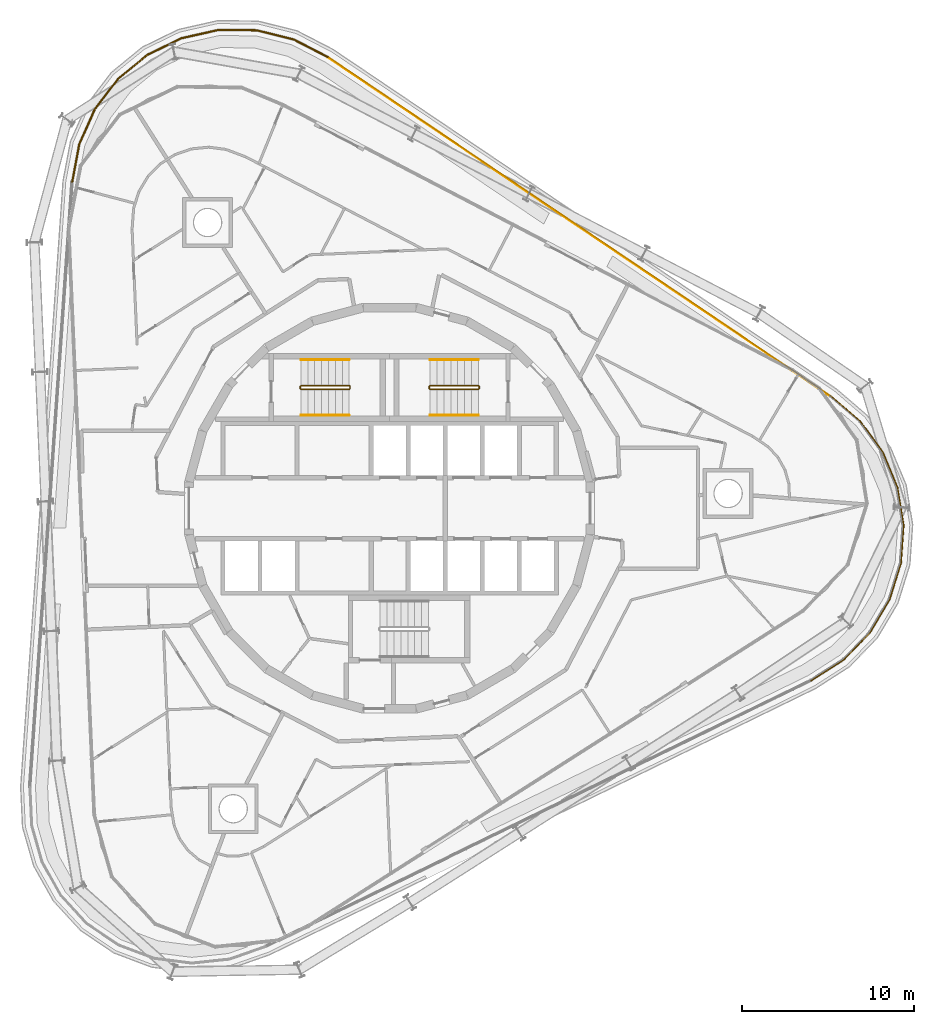
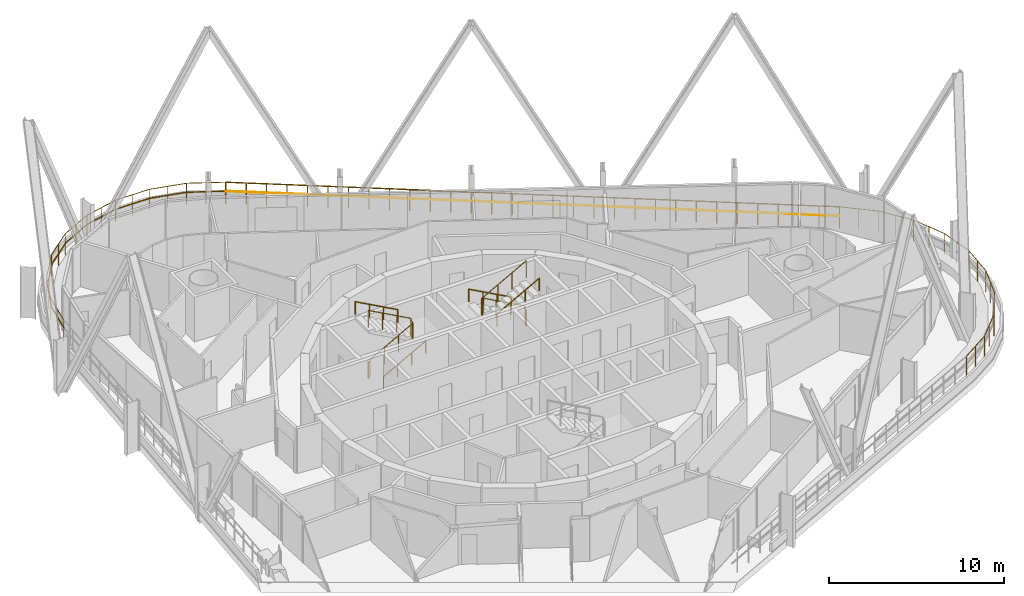
# One storey, part 19 of 20: 11 railings.
"""IFC4 building model written with IfcOpenShell, lengths in metres."""

import ifcopenshell
import ifcopenshell.guid

model = None  # the IFC model being written
_history = None  # IfcOwnerHistory: only IFC2X3 demands one
_inside = {}  # id of a spatial element -> (the spatial element, [elements in it])
_under = {}  # id of a project, library or spatial element -> (it, [spatial elements below it])
_declared = {}  # id of a project -> (the project, [libraries it declares])
_typed = {}  # id of a type object -> (the type object, [elements of that type])
_made_of = {}  # id of a material, layer set ... -> (it, [elements and type objects made of it])


def new_model(schema):
    """Start an empty IFC model of exactly this schema.

    Asked for "IFC4X3", IfcOpenShell would pick the latest addendum, in which some entities
    have other attributes; the version numbers below select the first issue.
    IFC2X3 requires an IfcOwnerHistory on every rooted entity: one is made here for all.
    """
    global model, _history
    if schema == "IFC4X3":
        model = ifcopenshell.file(schema_version=(4, 3, 0, 0))
    else:
        model = ifcopenshell.file(schema=schema)
    _inside.clear()
    _under.clear()
    _declared.clear()
    _typed.clear()
    _made_of.clear()
    _history = None
    if model.schema == "IFC2X3":
        org = make("IfcOrganization", Name="unknown")
        user = make(
            "IfcPersonAndOrganization",
            ThePerson=make("IfcPerson", FamilyName="unknown"),
            TheOrganization=org,
        )
        app = make(
            "IfcApplication",
            ApplicationDeveloper=org,
            Version="unknown",
            ApplicationFullName="unknown",
            ApplicationIdentifier="unknown",
        )
        _history = make(
            "IfcOwnerHistory",
            OwningUser=user,
            OwningApplication=app,
            ChangeAction="ADDED",
            CreationDate=0,
        )
    return model


def make(cls, **values):
    """One entity of the class cls with the attributes given. An attribute that is None is left unset."""
    return model.create_entity(
        cls, **{name: value for name, value in values.items() if value is not None}
    )


def rooted(cls, **values):
    """An entity with a GlobalId (a new one), such as an element, a storey or a relation."""
    return make(cls, GlobalId=ifcopenshell.guid.new(), OwnerHistory=_history, **values)


def si_unit(unit_type, name, prefix=None):
    """IfcSIUnit, for example si_unit("LENGTHUNIT", "METRE", prefix="MILLI")."""
    return make("IfcSIUnit", UnitType=unit_type, Prefix=prefix, Name=name)


def assignment(units):
    """IfcUnitAssignment: the units of a project."""
    return None if units is None else make("IfcUnitAssignment", Units=units)


def point(xyz):
    """IfcCartesianPoint."""
    return None if xyz is None else make("IfcCartesianPoint", Coordinates=xyz)


def direction(xyz):
    """IfcDirection."""
    return None if xyz is None else make("IfcDirection", DirectionRatios=xyz)


def frame(location, z_axis=None, x_axis=None):
    """IfcAxis2Placement3D, a coordinate frame: its origin and axes. An axis left out is left unset."""
    return make(
        "IfcAxis2Placement3D",
        Location=point(location),
        Axis=direction(z_axis),
        RefDirection=direction(x_axis),
    )


def frame_2d(location, x_axis=None):
    """IfcAxis2Placement2D, a coordinate frame in the plane: its origin and x axis."""
    return make(
        "IfcAxis2Placement2D", Location=point(location), RefDirection=direction(x_axis)
    )


def origin():
    """The frame at (0, 0, 0) with its axes left unset."""
    return frame((0.0, 0.0, 0.0))


def origin_2d():
    """The frame at (0, 0) in the plane with its x axis left unset."""
    return frame_2d((0.0, 0.0))


def place(relative_to, where):
    """IfcLocalPlacement: puts the frame where relative to a parent placement (None: the world)."""
    return make(
        "IfcLocalPlacement", PlacementRelTo=relative_to, RelativePlacement=where
    )


def context(
    kind, dimensions, precision=None, world=None, true_north=None, identifier=None
):
    """IfcGeometricRepresentationContext, for example the 3D "Model" context."""
    return make(
        "IfcGeometricRepresentationContext",
        ContextIdentifier=identifier,
        ContextType=kind,
        CoordinateSpaceDimension=dimensions,
        Precision=precision,
        WorldCoordinateSystem=world,
        TrueNorth=true_north,
    )


def subcontext(parent, identifier, kind, view, scale=None):
    """IfcGeometricRepresentationSubContext, for example "Body" below "Model"."""
    return make(
        "IfcGeometricRepresentationSubContext",
        ContextIdentifier=identifier,
        ContextType=kind,
        ParentContext=parent,
        TargetScale=scale,
        TargetView=view,
    )


def project(units=None, contexts=None):
    """IfcProject with its units and contexts."""
    return rooted(
        "IfcProject",
        Name="project",
        RepresentationContexts=contexts,
        UnitsInContext=assignment(units),
    )


def spatial(cls, under=None, at=None, **own):
    """A site, building, storey or space (cls), placed at a placement, below another one or the project."""
    s = rooted(cls, ObjectPlacement=at, **own)
    if under is not None:
        _under.setdefault(under.id(), (under, []))[1].append(s)
    return s


def profile(cls, at=None, kind="AREA", **sizes):
    """A parametric profile (cls). Its sizes go by their IFC names, for example OverallWidth=200.0."""
    return make(cls, ProfileType=kind, Position=at, **sizes)


def circle(**sizes):
    """IfcCircleProfileDef."""
    return profile("IfcCircleProfileDef", **sizes)


def extrude(swept, where, along, depth):
    """IfcExtrudedAreaSolid: the profile swept, set in the frame where, extruded along a direction by depth."""
    return make(
        "IfcExtrudedAreaSolid",
        SweptArea=swept,
        Position=where,
        ExtrudedDirection=direction(along),
        Depth=depth,
    )


def shape(context_of_items, identifier, shape_type, items):
    """IfcShapeRepresentation: the items that make up one representation, for example the "Body"."""
    return make(
        "IfcShapeRepresentation",
        ContextOfItems=context_of_items,
        RepresentationIdentifier=identifier,
        RepresentationType=shape_type,
        Items=items,
    )


def material(Name=None, Category=None):
    """IfcMaterial."""
    return make("IfcMaterial", Name=Name, Category=Category)


def made_of(thing, what):
    """Note that an element or type object is made of a material, layer set ...; save() writes the relation."""
    if what is not None:
        _made_of.setdefault(what.id(), (what, []))[1].append(thing)
    return thing


def type_object(cls, material=None, **own):
    """A type object (cls), such as IfcWallType, which elements share."""
    return made_of(rooted(cls, **own), material)


def element(
    cls,
    number,
    at=None,
    inside=None,
    cuts=None,
    type_object=None,
    material=None,
    context=None,
    identifier="Body",
    shape_type=None,
    held_by="IfcProductDefinitionShape",
    body=None,
    shapes=None,
    **own,
):
    """One element of the class cls, such as IfcWall. Its Tag is "e" and its number.

    at: its placement. inside: the storey or other place that contains it. cuts: it is an
    opening in that element (IfcRelVoidsElement). A single representation is given by context,
    identifier, shape_type and body (its items); several are given by shapes. held_by: the class
    of the entity that holds the representations. save() writes the other relations.
    """
    e = rooted(cls, Tag="e%d" % number, ObjectPlacement=at, **own)
    if body is not None:
        shapes = [shape(context, identifier, shape_type, body)]
    if shapes is not None:
        e.Representation = make(held_by, Representations=shapes)
    if inside is not None:
        _inside.setdefault(inside.id(), (inside, []))[1].append(e)
    if cuts is not None:
        rooted(
            "IfcRelVoidsElement", RelatingBuildingElement=cuts, RelatedOpeningElement=e
        )
    if type_object is not None:
        _typed.setdefault(type_object.id(), (type_object, []))[1].append(e)
    return made_of(e, material)


def aggregate(whole, parts):
    """IfcRelAggregates: a whole, such as a stair, and the parts it consists of."""
    return rooted("IfcRelAggregates", RelatingObject=whole, RelatedObjects=parts)


def save(model, path):
    """Write the relations noted so far, then the file.

    IfcRelAggregates (storeys below a building ...), IfcRelContainedInSpatialStructure (elements
    in a storey), IfcRelDefinesByType, IfcRelAssociatesMaterial and IfcRelDeclares: one each for
    every whole, place, type object, material and project.
    """
    for whole, parts in _under.values():
        aggregate(whole, parts)
    for where, things in _inside.values():
        rooted(
            "IfcRelContainedInSpatialStructure",
            RelatedElements=things,
            RelatingStructure=where,
        )
    for kind, things in _typed.values():
        rooted("IfcRelDefinesByType", RelatedObjects=things, RelatingType=kind)
    for what, things in _made_of.values():
        rooted("IfcRelAssociatesMaterial", RelatedObjects=things, RelatingMaterial=what)
    for by, libraries in _declared.values():
        rooted("IfcRelDeclares", RelatingContext=by, RelatedDefinitions=libraries)
    model.write(path)


model = new_model("IFC4")

# Units and contexts
model_context = context("Model", 3, precision=1e-05, world=origin(), true_north=direction((0.0, 1.0)))
body_context = subcontext(model_context, "Body", "Model", "MODEL_VIEW")
ifc_project = project(units=[si_unit("LENGTHUNIT", "METRE"), si_unit("AREAUNIT", "SQUARE_METRE"), si_unit("VOLUMEUNIT", "CUBIC_METRE"), si_unit("PLANEANGLEUNIT", "RADIAN"), si_unit("MASSUNIT", "GRAM", prefix="KILO")], contexts=[model_context])

# Site, building, storey
site_placement = place(None, origin())
site = spatial("IfcSite", under=ifc_project, at=site_placement, CompositionType="ELEMENT")
building_placement = place(site_placement, origin())
building = spatial("IfcBuilding", under=site, at=building_placement, Name="Spindle Arch Residences", CompositionType="ELEMENT")
storey_placement = place(building_placement, frame((0.0, 0.0, 226.699951171875)))
storey = spatial("IfcBuildingStorey", under=building, at=storey_placement, Name="L57", CompositionType="ELEMENT", Elevation=226.699951171875)

# Railings
ifc_material_1 = material(Name="Steel, painted", Category="steel")
railing_type_1 = type_object("IfcRailingType", Name="Stair guard 1100", PredefinedType="GUARDRAIL", material=ifc_material_1)
railing_1_placement = place(storey_placement, frame((5.14990234375, 6.89990234375, 3.5)))
element("IfcRailing", 1, at=railing_1_placement, inside=storey, type_object=railing_type_1, Name="L57 ST1 stair guard 1", PredefinedType="GUARDRAIL", context=body_context, shape_type="SweptSolid", body=[
    extrude(circle(Radius=0.02392578125, at=origin_2d()), frame((0.0, 0.0, 1.17578125), z_axis=(-0.877357048833, 0.0, -0.479838106931), x_axis=(0.0, -1.0, 0.0)), (0.0, 0.0, 1.0), 3.191162109375),
    extrude(circle(Radius=0.02392578125, at=origin_2d()), frame((-2.7998046875, 0.0, -0.35546875), z_axis=(-0.217683172539, 0.217683172539, -0.951434744366), x_axis=(-0.707106781187, -0.707106781187, 0.0)), (0.0, 0.0, 1.0), 0.22998046875),
    extrude(circle(Radius=0.02392578125, at=origin_2d()), frame((-2.849853515625, 0.050048828125, -0.57421875), z_axis=(0.0, 1.0, 0.0), x_axis=(-1.0, 0.0, 0.0)), (0.0, 0.0, 1.0), 0.1201171875),
    extrude(circle(Radius=0.02392578125, at=origin_2d()), frame((-2.849853515625, 0.170166015625, -0.57421875), z_axis=(0.707106781187, 0.707106781187, 0.0), x_axis=(-0.707106781187, 0.707106781187, 0.0)), (0.0, 0.0, 1.0), 0.07080078125),
    extrude(circle(Radius=0.02392578125, at=origin_2d()), frame((-2.7998046875, 0.22021484375, -0.57421875), z_axis=(0.877357048833, 0.0, -0.479838106931), x_axis=(0.0, 1.0, 0.0)), (0.0, 0.0, 1.0), 3.191162109375),
    extrude(circle(Radius=0.02392578125, at=origin_2d()), frame((0.0, 0.22021484375, -2.10546875), z_axis=(0.217683172539, -0.217683172539, -0.951434744366), x_axis=(0.707106781187, 0.707106781187, 0.0)), (0.0, 0.0, 1.0), 0.22998046875),
    extrude(circle(Radius=0.02392578125, at=origin_2d()), frame((0.050048828125, 0.170166015625, -2.32421875), z_axis=(0.0, -1.0, 0.0), x_axis=(1.0, 0.0, 0.0)), (0.0, 0.0, 1.0), 0.1201171875),
    extrude(circle(Radius=0.02099609375, at=origin_2d()), origin(), (0.0, 0.0, 1.0), 1.15185546875),
    extrude(circle(Radius=0.02099609375, at=origin_2d()), frame((-0.933349609375, 0.0, -0.510498046875)), (0.0, 0.0, 1.0), 1.15185546875),
    extrude(circle(Radius=0.02099609375, at=origin_2d()), frame((-1.866455078125, 0.0, -1.020751953125)), (0.0, 0.0, 1.0), 1.15185546875),
    extrude(circle(Radius=0.02099609375, at=origin_2d()), frame((-2.7998046875, 0.0, -1.53125)), (0.0, 0.0, 1.0), 1.15185546875),
    extrude(circle(Radius=0.02099609375, at=origin_2d()), frame((-2.849853515625, 0.050048828125, -1.75)), (0.0, 0.0, 1.0), 1.15185546875),
    extrude(circle(Radius=0.02099609375, at=origin_2d()), frame((-2.849853515625, 0.170166015625, -1.75)), (0.0, 0.0, 1.0), 1.15185546875),
    extrude(circle(Radius=0.02099609375, at=origin_2d()), frame((-2.7998046875, 0.22021484375, -1.75)), (0.0, 0.0, 1.0), 1.15185546875),
    extrude(circle(Radius=0.02099609375, at=origin_2d()), frame((-1.866455078125, 0.22021484375, -2.260498046875)), (0.0, 0.0, 1.0), 1.15185546875),
    extrude(circle(Radius=0.02099609375, at=origin_2d()), frame((-0.933349609375, 0.22021484375, -2.770751953125)), (0.0, 0.0, 1.0), 1.15185546875),
    extrude(circle(Radius=0.02099609375, at=origin_2d()), frame((0.0, 0.22021484375, -3.28125)), (0.0, 0.0, 1.0), 1.15185546875),
    extrude(circle(Radius=0.02099609375, at=origin_2d()), frame((0.050048828125, 0.170166015625, -3.5)), (0.0, 0.0, 1.0), 1.15185546875),
    extrude(circle(Radius=0.02099609375, at=origin_2d()), frame((0.050048828125, 0.050048828125, -3.5)), (0.0, 0.0, 1.0), 1.15185546875),
])
railing_2_placement = place(storey_placement, frame((-5.14990234375, 7.1201171875, 3.5)))
element("IfcRailing", 2, at=railing_2_placement, inside=storey, type_object=railing_type_1, Name="L57 ST2 stair guard 1", PredefinedType="GUARDRAIL", context=body_context, shape_type="SweptSolid", body=[
    extrude(circle(Radius=0.02392578125, at=origin_2d()), frame((0.0, 0.0, 1.17578125), z_axis=(0.877357048833, 0.0, -0.479838106931), x_axis=(0.0, 1.0, 0.0)), (0.0, 0.0, 1.0), 3.191162109375),
    extrude(circle(Radius=0.02392578125, at=origin_2d()), frame((2.7998046875, 0.0, -0.35546875), z_axis=(0.217683172539, -0.217683172539, -0.951434744366), x_axis=(0.707106781187, 0.707106781187, 0.0)), (0.0, 0.0, 1.0), 0.22998046875),
    extrude(circle(Radius=0.02392578125, at=origin_2d()), frame((2.849853515625, -0.050048828125, -0.57421875), z_axis=(0.0, -1.0, 0.0), x_axis=(1.0, 0.0, 0.0)), (0.0, 0.0, 1.0), 0.1201171875),
    extrude(circle(Radius=0.02392578125, at=origin_2d()), frame((2.849853515625, -0.170166015625, -0.57421875), z_axis=(-0.707106781187, -0.707106781187, 0.0), x_axis=(0.707106781187, -0.707106781187, 0.0)), (0.0, 0.0, 1.0), 0.07080078125),
    extrude(circle(Radius=0.02392578125, at=origin_2d()), frame((2.7998046875, -0.22021484375, -0.57421875), z_axis=(-0.877357048833, 0.0, -0.479838106931), x_axis=(0.0, -1.0, 0.0)), (0.0, 0.0, 1.0), 3.191162109375),
    extrude(circle(Radius=0.02392578125, at=origin_2d()), frame((0.0, -0.22021484375, -2.10546875), z_axis=(-0.217683172539, 0.217683172539, -0.951434744366), x_axis=(-0.707106781187, -0.707106781187, 0.0)), (0.0, 0.0, 1.0), 0.22998046875),
    extrude(circle(Radius=0.02392578125, at=origin_2d()), frame((-0.050048828125, -0.170166015625, -2.32421875), z_axis=(0.0, 1.0, 0.0), x_axis=(-1.0, 0.0, 0.0)), (0.0, 0.0, 1.0), 0.1201171875),
    extrude(circle(Radius=0.02099609375, at=origin_2d()), origin(), (0.0, 0.0, 1.0), 1.15185546875),
    extrude(circle(Radius=0.02099609375, at=origin_2d()), frame((0.933349609375, 0.0, -0.510498046875)), (0.0, 0.0, 1.0), 1.15185546875),
    extrude(circle(Radius=0.02099609375, at=origin_2d()), frame((1.866455078125, 0.0, -1.020751953125)), (0.0, 0.0, 1.0), 1.15185546875),
    extrude(circle(Radius=0.02099609375, at=origin_2d()), frame((2.7998046875, 0.0, -1.53125)), (0.0, 0.0, 1.0), 1.15185546875),
    extrude(circle(Radius=0.02099609375, at=origin_2d()), frame((2.849853515625, -0.050048828125, -1.75)), (0.0, 0.0, 1.0), 1.15185546875),
    extrude(circle(Radius=0.02099609375, at=origin_2d()), frame((2.849853515625, -0.170166015625, -1.75)), (0.0, 0.0, 1.0), 1.15185546875),
    extrude(circle(Radius=0.02099609375, at=origin_2d()), frame((2.7998046875, -0.22021484375, -1.75)), (0.0, 0.0, 1.0), 1.15185546875),
    extrude(circle(Radius=0.02099609375, at=origin_2d()), frame((1.866455078125, -0.22021484375, -2.260498046875)), (0.0, 0.0, 1.0), 1.15185546875),
    extrude(circle(Radius=0.02099609375, at=origin_2d()), frame((0.933349609375, -0.22021484375, -2.770751953125)), (0.0, 0.0, 1.0), 1.15185546875),
    extrude(circle(Radius=0.02099609375, at=origin_2d()), frame((0.0, -0.22021484375, -3.28125)), (0.0, 0.0, 1.0), 1.15185546875),
    extrude(circle(Radius=0.02099609375, at=origin_2d()), frame((-0.050048828125, -0.170166015625, -3.5)), (0.0, 0.0, 1.0), 1.15185546875),
    extrude(circle(Radius=0.02099609375, at=origin_2d()), frame((-0.050048828125, -0.050048828125, -3.5)), (0.0, 0.0, 1.0), 1.15185546875),
])
ifc_material_2 = material(Name="Steel, painted", Category="steel")
railing_type_2 = type_object("IfcRailingType", Name="Stair handrail 900", PredefinedType="HANDRAIL", material=ifc_material_2)
railing_3_placement = place(storey_placement, frame((5.14990234375, 8.6201171875, 0.21875)))
element("IfcRailing", 3, at=railing_3_placement, inside=storey, type_object=railing_type_2, Name="L57 ST1 stair handrail 1", PredefinedType="HANDRAIL", context=body_context, shape_type="SweptSolid", body=[
    extrude(circle(Radius=0.02392578125, at=origin_2d()), frame((0.0, 0.0, 0.8759765625), z_axis=(-0.877357048833, 0.0, 0.479838106931), x_axis=(0.0, -1.0, 0.0)), (0.0, 0.0, 1.0), 3.191162109375),
    extrude(circle(Radius=0.02099609375, at=origin_2d()), origin(), (0.0, 0.0, 1.0), 0.851806640625),
    extrude(circle(Radius=0.02099609375, at=origin_2d()), frame((-0.933349609375, 0.0, 0.510498046875)), (0.0, 0.0, 1.0), 0.851806640625),
    extrude(circle(Radius=0.02099609375, at=origin_2d()), frame((-1.866455078125, 0.0, 1.020751953125)), (0.0, 0.0, 1.0), 0.851806640625),
    extrude(circle(Radius=0.02099609375, at=origin_2d()), frame((-2.7998046875, 0.0, 1.53125)), (0.0, 0.0, 1.0), 0.851806640625),
])
for number, where, name in (
    (4, (2.35009765625, 5.39990234375, 1.96875), "L57 ST1 stair handrail 2"),
    (5, (-5.14990234375, 5.39990234375, 0.21875), "L57 ST2 stair handrail 1"),
):
    element("IfcRailing", number, at=place(storey_placement, frame(where)), inside=storey, type_object=railing_type_2, Name=name, PredefinedType="HANDRAIL", context=body_context, shape_type="SweptSolid", body=[
        extrude(circle(Radius=0.02392578125, at=origin_2d()), frame((0.0, 0.0, 0.8759765625), z_axis=(0.877357048833, 0.0, 0.479838106931), x_axis=(0.0, 1.0, 0.0)), (0.0, 0.0, 1.0), 3.191162109375),
        extrude(circle(Radius=0.02099609375, at=origin_2d()), origin(), (0.0, 0.0, 1.0), 0.851806640625),
        extrude(circle(Radius=0.02099609375, at=origin_2d()), frame((0.933349609375, 0.0, 0.510498046875)), (0.0, 0.0, 1.0), 0.851806640625),
        extrude(circle(Radius=0.02099609375, at=origin_2d()), frame((1.866455078125, 0.0, 1.020751953125)), (0.0, 0.0, 1.0), 0.851806640625),
        extrude(circle(Radius=0.02099609375, at=origin_2d()), frame((2.7998046875, 0.0, 1.53125)), (0.0, 0.0, 1.0), 0.851806640625),
    ])
railing_4_placement = place(storey_placement, frame((-2.35009765625, 8.6201171875, 1.96875)))
element("IfcRailing", 6, at=railing_4_placement, inside=storey, type_object=railing_type_2, Name="L57 ST2 stair handrail 2", PredefinedType="HANDRAIL", context=body_context, shape_type="SweptSolid", body=[
    extrude(circle(Radius=0.02392578125, at=origin_2d()), frame((0.0, 0.0, 0.8759765625), z_axis=(-0.877357048833, 0.0, 0.479838106931), x_axis=(0.0, -1.0, 0.0)), (0.0, 0.0, 1.0), 3.191162109375),
    extrude(circle(Radius=0.02099609375, at=origin_2d()), origin(), (0.0, 0.0, 1.0), 0.851806640625),
    extrude(circle(Radius=0.02099609375, at=origin_2d()), frame((-0.933349609375, 0.0, 0.510498046875)), (0.0, 0.0, 1.0), 0.851806640625),
    extrude(circle(Radius=0.02099609375, at=origin_2d()), frame((-1.866455078125, 0.0, 1.020751953125)), (0.0, 0.0, 1.0), 0.851806640625),
    extrude(circle(Radius=0.02099609375, at=origin_2d()), frame((-2.7998046875, 0.0, 1.53125)), (0.0, 0.0, 1.0), 0.851806640625),
])
ifc_material_3 = material(Name="Bronze anodised aluminium guard with glass infill", Category="aluminium")
railing_type_3 = type_object("IfcRailingType", Name="Terrace guard 1500", PredefinedType="GUARDRAIL", material=ifc_material_3)
railing_5_placement = place(storey_placement, frame((-18.454833984375, 18.93505859375, 0.030029296875)))
element("IfcRailing", 7, at=railing_5_placement, inside=storey, type_object=railing_type_3, Name="Terrace guard L56 4", PredefinedType="GUARDRAIL", context=body_context, shape_type="SweptSolid", body=[
    extrude(circle(Radius=0.02392578125, at=origin_2d()), frame((0.0, 0.0, 1.47607421875), z_axis=(0.18510126662, 0.982719451876, 0.0), x_axis=(-0.982719451876, 0.18510126662, 0.0)), (0.0, 0.0, 1.0), 2.248779296875),
    extrude(circle(Radius=0.02392578125, at=origin_2d()), frame((0.416259765625, 2.2099609375, 1.47607421875), z_axis=(0.406669837555, 0.91357519845, 0.0), x_axis=(-0.91357519845, 0.406669837555, 0.0)), (0.0, 0.0, 1.0), 2.216552734375),
    extrude(circle(Radius=0.02392578125, at=origin_2d()), frame((1.317626953125, 4.23486328125, 1.47607421875), z_axis=(0.606501110077, 0.7950826394, 0.0), x_axis=(-0.7950826394, 0.606501110077, 0.0)), (0.0, 0.0, 1.0), 2.21630859375),
    extrude(circle(Radius=0.02392578125, at=origin_2d()), frame((2.661865234375, 5.9970703125, 1.47607421875), z_axis=(0.773431940155, 0.633879352833, 0.0), x_axis=(-0.633879352833, 0.773431940155, 0.0)), (0.0, 0.0, 1.0), 2.216552734375),
    extrude(circle(Radius=0.02392578125, at=origin_2d()), frame((4.376220703125, 7.402099609375, 1.47607421875), z_axis=(0.898789616299, 0.438380229518, 0.0), x_axis=(-0.438380229518, 0.898789616299, 0.0)), (0.0, 0.0, 1.0), 2.216552734375),
    extrude(circle(Radius=0.02392578125, at=origin_2d()), frame((6.368408203125, 8.373779296875, 1.47607421875), z_axis=(0.975681649768, 0.219192423012, 0.0), x_axis=(-0.219192423012, 0.975681649768, 0.0)), (0.0, 0.0, 1.0), 2.216552734375),
    extrude(circle(Radius=0.02392578125, at=origin_2d()), frame((8.531005859375, 8.859619140625, 1.47607421875), z_axis=(0.999933115625, -0.011565650709, 0.0), x_axis=(0.011565650709, 0.999933115625, 0.0)), (0.0, 0.0, 1.0), 2.216552734375),
    extrude(circle(Radius=0.02392578125, at=origin_2d()), frame((10.747314453125, 8.833984375, 1.47607421875), z_axis=(0.97028485962, -0.241965475208, 0.0), x_axis=(0.241965475208, 0.97028485962, 0.0)), (0.0, 0.0, 1.0), 2.216796875),
    extrude(circle(Radius=0.02392578125, at=origin_2d()), frame((12.898193359375, 8.297607421875, 1.47607421875), z_axis=(0.888353576554, -0.459160018974, 0.0), x_axis=(0.459160018974, 0.888353576554, 0.0)), (0.0, 0.0, 1.0), 2.24853515625),
    extrude(circle(Radius=0.02099609375, at=origin_2d()), origin(), (0.0, 0.0, 1.0), 1.451904296875),
    extrude(circle(Radius=0.02099609375, at=origin_2d()), frame((0.2080078125, 1.10498046875, 0.0)), (0.0, 0.0, 1.0), 1.451904296875),
    extrude(circle(Radius=0.02099609375, at=origin_2d()), frame((0.416259765625, 2.2099609375, 0.0)), (0.0, 0.0, 1.0), 1.451904296875),
    extrude(circle(Radius=0.02099609375, at=origin_2d()), frame((0.866943359375, 3.222412109375, 0.0)), (0.0, 0.0, 1.0), 1.451904296875),
    extrude(circle(Radius=0.02099609375, at=origin_2d()), frame((1.317626953125, 4.23486328125, 0.0)), (0.0, 0.0, 1.0), 1.451904296875),
    extrude(circle(Radius=0.02099609375, at=origin_2d()), frame((1.98974609375, 5.115966796875, 0.0)), (0.0, 0.0, 1.0), 1.451904296875),
    extrude(circle(Radius=0.02099609375, at=origin_2d()), frame((2.661865234375, 5.9970703125, 0.0)), (0.0, 0.0, 1.0), 1.451904296875),
    extrude(circle(Radius=0.02099609375, at=origin_2d()), frame((3.51904296875, 6.69970703125, 0.0)), (0.0, 0.0, 1.0), 1.451904296875),
    extrude(circle(Radius=0.02099609375, at=origin_2d()), frame((4.376220703125, 7.402099609375, 0.0)), (0.0, 0.0, 1.0), 1.451904296875),
    extrude(circle(Radius=0.02099609375, at=origin_2d()), frame((5.372314453125, 7.887939453125, 0.0)), (0.0, 0.0, 1.0), 1.451904296875),
    extrude(circle(Radius=0.02099609375, at=origin_2d()), frame((6.368408203125, 8.373779296875, 0.0)), (0.0, 0.0, 1.0), 1.451904296875),
    extrude(circle(Radius=0.02099609375, at=origin_2d()), frame((7.44970703125, 8.61669921875, 0.0)), (0.0, 0.0, 1.0), 1.451904296875),
    extrude(circle(Radius=0.02099609375, at=origin_2d()), frame((8.531005859375, 8.859619140625, 0.0)), (0.0, 0.0, 1.0), 1.451904296875),
    extrude(circle(Radius=0.02099609375, at=origin_2d()), frame((9.63916015625, 8.8466796875, 0.0)), (0.0, 0.0, 1.0), 1.451904296875),
    extrude(circle(Radius=0.02099609375, at=origin_2d()), frame((10.747314453125, 8.833984375, 0.0)), (0.0, 0.0, 1.0), 1.451904296875),
    extrude(circle(Radius=0.02099609375, at=origin_2d()), frame((11.82275390625, 8.56591796875, 0.0)), (0.0, 0.0, 1.0), 1.451904296875),
    extrude(circle(Radius=0.02099609375, at=origin_2d()), frame((12.898193359375, 8.297607421875, 0.0)), (0.0, 0.0, 1.0), 1.451904296875),
    extrude(circle(Radius=0.02099609375, at=origin_2d()), frame((13.89697265625, 7.78125, 0.0)), (0.0, 0.0, 1.0), 1.451904296875),
    extrude(circle(Radius=0.02099609375, at=origin_2d()), frame((14.895751953125, 7.26513671875, 0.0)), (0.0, 0.0, 1.0), 1.451904296875),
])
railing_6_placement = place(storey_placement, frame((-3.55908203125, 26.2001953125, 0.030029296875)))
element("IfcRailing", 8, at=railing_6_placement, inside=storey, type_object=railing_type_3, Name="Terrace guard L56 5", PredefinedType="GUARDRAIL", context=body_context, shape_type="SweptSolid", body=[
    extrude(circle(Radius=0.02392578125, at=origin_2d()), frame((0.0, 0.0, 1.47607421875), z_axis=(0.82903893129, -0.559190889058, 0.0), x_axis=(0.559190889058, 0.82903893129, 0.0)), (0.0, 0.0, 1.0), 35.203125),
    extrude(circle(Radius=0.02099609375, at=origin_2d()), origin(), (0.0, 0.0, 1.0), 1.451904296875),
    extrude(circle(Radius=0.02099609375, at=origin_2d()), frame((0.972900390625, -0.65625, 0.0)), (0.0, 0.0, 1.0), 1.451904296875),
    extrude(circle(Radius=0.02099609375, at=origin_2d()), frame((1.945556640625, -1.312255859375, 0.0)), (0.0, 0.0, 1.0), 1.451904296875),
    extrude(circle(Radius=0.02099609375, at=origin_2d()), frame((2.91845703125, -1.968505859375, 0.0)), (0.0, 0.0, 1.0), 1.451904296875),
    extrude(circle(Radius=0.02099609375, at=origin_2d()), frame((3.891357421875, -2.624755859375, 0.0)), (0.0, 0.0, 1.0), 1.451904296875),
    extrude(circle(Radius=0.02099609375, at=origin_2d()), frame((4.8642578125, -3.28076171875, 0.0)), (0.0, 0.0, 1.0), 1.451904296875),
    extrude(circle(Radius=0.02099609375, at=origin_2d()), frame((5.8369140625, -3.93701171875, 0.0)), (0.0, 0.0, 1.0), 1.451904296875),
    extrude(circle(Radius=0.02099609375, at=origin_2d()), frame((6.809814453125, -4.59326171875, 0.0)), (0.0, 0.0, 1.0), 1.451904296875),
    extrude(circle(Radius=0.02099609375, at=origin_2d()), frame((7.78271484375, -5.24951171875, 0.0)), (0.0, 0.0, 1.0), 1.451904296875),
    extrude(circle(Radius=0.02099609375, at=origin_2d()), frame((8.75537109375, -5.905517578125, 0.0)), (0.0, 0.0, 1.0), 1.451904296875),
    extrude(circle(Radius=0.02099609375, at=origin_2d()), frame((9.728271484375, -6.561767578125, 0.0)), (0.0, 0.0, 1.0), 1.451904296875),
    extrude(circle(Radius=0.02099609375, at=origin_2d()), frame((10.701171875, -7.218017578125, 0.0)), (0.0, 0.0, 1.0), 1.451904296875),
    extrude(circle(Radius=0.02099609375, at=origin_2d()), frame((11.673828125, -7.8740234375, 0.0)), (0.0, 0.0, 1.0), 1.451904296875),
    extrude(circle(Radius=0.02099609375, at=origin_2d()), frame((12.646728515625, -8.5302734375, 0.0)), (0.0, 0.0, 1.0), 1.451904296875),
    extrude(circle(Radius=0.02099609375, at=origin_2d()), frame((13.61962890625, -9.1865234375, 0.0)), (0.0, 0.0, 1.0), 1.451904296875),
    extrude(circle(Radius=0.02099609375, at=origin_2d()), frame((14.59228515625, -9.8427734375, 0.0)), (0.0, 0.0, 1.0), 1.451904296875),
    extrude(circle(Radius=0.02099609375, at=origin_2d()), frame((15.565185546875, -10.498779296875, 0.0)), (0.0, 0.0, 1.0), 1.451904296875),
    extrude(circle(Radius=0.02099609375, at=origin_2d()), frame((16.5380859375, -11.155029296875, 0.0)), (0.0, 0.0, 1.0), 1.451904296875),
    extrude(circle(Radius=0.02099609375, at=origin_2d()), frame((17.510986328125, -11.811279296875, 0.0)), (0.0, 0.0, 1.0), 1.451904296875),
    extrude(circle(Radius=0.02099609375, at=origin_2d()), frame((18.483642578125, -12.46728515625, 0.0)), (0.0, 0.0, 1.0), 1.451904296875),
    extrude(circle(Radius=0.02099609375, at=origin_2d()), frame((19.45654296875, -13.12353515625, 0.0)), (0.0, 0.0, 1.0), 1.451904296875),
    extrude(circle(Radius=0.02099609375, at=origin_2d()), frame((20.429443359375, -13.77978515625, 0.0)), (0.0, 0.0, 1.0), 1.451904296875),
    extrude(circle(Radius=0.02099609375, at=origin_2d()), frame((21.402099609375, -14.435791015625, 0.0)), (0.0, 0.0, 1.0), 1.451904296875),
    extrude(circle(Radius=0.02099609375, at=origin_2d()), frame((22.375, -15.092041015625, 0.0)), (0.0, 0.0, 1.0), 1.451904296875),
    extrude(circle(Radius=0.02099609375, at=origin_2d()), frame((23.347900390625, -15.748291015625, 0.0)), (0.0, 0.0, 1.0), 1.451904296875),
    extrude(circle(Radius=0.02099609375, at=origin_2d()), frame((24.32080078125, -16.404296875, 0.0)), (0.0, 0.0, 1.0), 1.451904296875),
    extrude(circle(Radius=0.02099609375, at=origin_2d()), frame((25.29345703125, -17.060546875, 0.0)), (0.0, 0.0, 1.0), 1.451904296875),
    extrude(circle(Radius=0.02099609375, at=origin_2d()), frame((26.266357421875, -17.716796875, 0.0)), (0.0, 0.0, 1.0), 1.451904296875),
    extrude(circle(Radius=0.02099609375, at=origin_2d()), frame((27.2392578125, -18.373046875, 0.0)), (0.0, 0.0, 1.0), 1.451904296875),
    extrude(circle(Radius=0.02099609375, at=origin_2d()), frame((28.2119140625, -19.029052734375, 0.0)), (0.0, 0.0, 1.0), 1.451904296875),
    extrude(circle(Radius=0.02099609375, at=origin_2d()), frame((29.184814453125, -19.685302734375, 0.0)), (0.0, 0.0, 1.0), 1.451904296875),
])
railing_7_placement = place(storey_placement, frame((25.625732421875, 6.514892578125, 0.030029296875)))
element("IfcRailing", 9, at=railing_7_placement, inside=storey, type_object=railing_type_3, Name="Terrace guard L56 6", PredefinedType="GUARDRAIL", context=body_context, shape_type="SweptSolid", body=[
    extrude(circle(Radius=0.02392578125, at=origin_2d()), frame((0.0, 0.0, 1.47607421875), z_axis=(0.758505013121, -0.651667204231, 0.0), x_axis=(0.651667204231, 0.758505013121, 0.0)), (0.0, 0.0, 1.0), 2.24853515625),
    extrude(circle(Radius=0.02392578125, at=origin_2d()), frame((1.70556640625, -1.46533203125, 1.47607421875), z_axis=(0.587824549316, -0.808988441958, 0.0), x_axis=(0.808988441958, 0.587824549316, 0.0)), (0.0, 0.0, 1.0), 2.216552734375),
    extrude(circle(Radius=0.02392578125, at=origin_2d()), frame((3.008544921875, -3.258544921875, 1.47607421875), z_axis=(0.385287885111, -0.922796426947, 0.0), x_axis=(0.922796426947, 0.385287885111, 0.0)), (0.0, 0.0, 1.0), 2.216552734375),
    extrude(circle(Radius=0.02392578125, at=origin_2d()), frame((3.862548828125, -5.303955078125, 1.47607421875), z_axis=(0.162237450923, -0.986751746651, 0.0), x_axis=(0.986751746651, 0.162237450923, 0.0)), (0.0, 0.0, 1.0), 2.216552734375),
    extrude(circle(Radius=0.02392578125, at=origin_2d()), frame((4.22216796875, -7.4912109375, 1.47607421875), z_axis=(-0.06983789708, -0.997558353246, 0.0), x_axis=(0.997558353246, -0.06983789708, 0.0)), (0.0, 0.0, 1.0), 2.21630859375),
    extrude(circle(Radius=0.02392578125, at=origin_2d()), frame((4.0673828125, -9.7021484375, 1.47607421875), z_axis=(-0.297829680564, -0.954619024205, 0.0), x_axis=(0.954619024205, -0.297829680564, 0.0)), (0.0, 0.0, 1.0), 2.216552734375),
    extrude(circle(Radius=0.02392578125, at=origin_2d()), frame((3.4072265625, -11.818115234375, 1.47607421875), z_axis=(-0.510083149942, -0.860125095637, 0.0), x_axis=(0.860125095637, -0.510083149942, 0.0)), (0.0, 0.0, 1.0), 2.216552734375),
    extrude(circle(Radius=0.02392578125, at=origin_2d()), frame((2.276611328125, -13.724609375, 1.47607421875), z_axis=(-0.694663306685, -0.719335033448, 0.0), x_axis=(0.719335033448, -0.694663306685, 0.0)), (0.0, 0.0, 1.0), 2.216552734375),
    extrude(circle(Radius=0.02392578125, at=origin_2d()), frame((0.73681640625, -15.319091796875, 1.47607421875), z_axis=(-0.84185510693, -0.539703602856, 0.0), x_axis=(0.539703602856, -0.84185510693, 0.0)), (0.0, 0.0, 1.0), 2.248779296875),
    extrude(circle(Radius=0.02099609375, at=origin_2d()), origin(), (0.0, 0.0, 1.0), 1.451904296875),
    extrude(circle(Radius=0.02099609375, at=origin_2d()), frame((0.852783203125, -0.732666015625, 0.0)), (0.0, 0.0, 1.0), 1.451904296875),
    extrude(circle(Radius=0.02099609375, at=origin_2d()), frame((1.70556640625, -1.46533203125, 0.0)), (0.0, 0.0, 1.0), 1.451904296875),
    extrude(circle(Radius=0.02099609375, at=origin_2d()), frame((2.35693359375, -2.36181640625, 0.0)), (0.0, 0.0, 1.0), 1.451904296875),
    extrude(circle(Radius=0.02099609375, at=origin_2d()), frame((3.008544921875, -3.258544921875, 0.0)), (0.0, 0.0, 1.0), 1.451904296875),
    extrude(circle(Radius=0.02099609375, at=origin_2d()), frame((3.435546875, -4.28125, 0.0)), (0.0, 0.0, 1.0), 1.451904296875),
    extrude(circle(Radius=0.02099609375, at=origin_2d()), frame((3.862548828125, -5.303955078125, 0.0)), (0.0, 0.0, 1.0), 1.451904296875),
    extrude(circle(Radius=0.02099609375, at=origin_2d()), frame((4.04248046875, -6.3974609375, 0.0)), (0.0, 0.0, 1.0), 1.451904296875),
    extrude(circle(Radius=0.02099609375, at=origin_2d()), frame((4.22216796875, -7.4912109375, 0.0)), (0.0, 0.0, 1.0), 1.451904296875),
    extrude(circle(Radius=0.02099609375, at=origin_2d()), frame((4.144775390625, -8.5966796875, 0.0)), (0.0, 0.0, 1.0), 1.451904296875),
    extrude(circle(Radius=0.02099609375, at=origin_2d()), frame((4.0673828125, -9.7021484375, 0.0)), (0.0, 0.0, 1.0), 1.451904296875),
    extrude(circle(Radius=0.02099609375, at=origin_2d()), frame((3.7373046875, -10.76025390625, 0.0)), (0.0, 0.0, 1.0), 1.451904296875),
    extrude(circle(Radius=0.02099609375, at=origin_2d()), frame((3.4072265625, -11.818115234375, 0.0)), (0.0, 0.0, 1.0), 1.451904296875),
    extrude(circle(Radius=0.02099609375, at=origin_2d()), frame((2.841796875, -12.771484375, 0.0)), (0.0, 0.0, 1.0), 1.451904296875),
    extrude(circle(Radius=0.02099609375, at=origin_2d()), frame((2.276611328125, -13.724609375, 0.0)), (0.0, 0.0, 1.0), 1.451904296875),
    extrude(circle(Radius=0.02099609375, at=origin_2d()), frame((1.5068359375, -14.52197265625, 0.0)), (0.0, 0.0, 1.0), 1.451904296875),
    extrude(circle(Radius=0.02099609375, at=origin_2d()), frame((0.73681640625, -15.319091796875, 0.0)), (0.0, 0.0, 1.0), 1.451904296875),
    extrude(circle(Radius=0.02099609375, at=origin_2d()), frame((-0.209716796875, -15.92578125, 0.0)), (0.0, 0.0, 1.0), 1.451904296875),
    extrude(circle(Radius=0.02099609375, at=origin_2d()), frame((-1.15625, -16.53271484375, 0.0)), (0.0, 0.0, 1.0), 1.451904296875),
])
ifc_material_4 = material(Name="Bronze anodised aluminium handrail", Category="aluminium")
railing_type_4 = type_object("IfcRailingType", Name="Terrace handrail 900", PredefinedType="HANDRAIL", material=ifc_material_4)
railing_8_placement = place(storey_placement, frame((-18.4130859375, 18.9296875, 0.030029296875)))
element("IfcRailing", 10, at=railing_8_placement, inside=storey, type_object=railing_type_4, Name="Terrace handrail L56 4", PredefinedType="HANDRAIL", context=body_context, shape_type="SweptSolid", body=[
    extrude(circle(Radius=0.02392578125, at=origin_2d()), frame((0.0, 0.0, 0.8759765625), z_axis=(0.185064520817, 0.982726372463, 0.0), x_axis=(-0.982726372463, 0.185064520817, 0.0)), (0.0, 0.0, 1.0), 2.241455078125),
    extrude(circle(Radius=0.02392578125, at=origin_2d()), frame((0.414794921875, 2.20263671875, 0.8759765625), z_axis=(0.406713258314, 0.913555868851, 0.0), x_axis=(-0.913555868851, 0.406713258314, 0.0)), (0.0, 0.0, 1.0), 2.20654296875),
    extrude(circle(Radius=0.02392578125, at=origin_2d()), frame((1.312255859375, 4.218505859375, 0.8759765625), z_axis=(0.606476441386, 0.795101456447, 0.0), x_axis=(-0.795101456447, 0.606476441386, 0.0)), (0.0, 0.0, 1.0), 2.206787109375),
    extrude(circle(Radius=0.02392578125, at=origin_2d()), frame((2.650634765625, 5.97314453125, 0.8759765625), z_axis=(0.773464127029, 0.633840077779, 0.0), x_axis=(-0.633840077779, 0.773464127029, 0.0)), (0.0, 0.0, 1.0), 2.206787109375),
    extrude(circle(Radius=0.02392578125, at=origin_2d()), frame((4.357421875, 7.371826171875, 0.8759765625), z_axis=(0.898808847183, 0.43834079918, 0.0), x_axis=(-0.43834079918, 0.898808847183, 0.0)), (0.0, 0.0, 1.0), 2.206787109375),
    extrude(circle(Radius=0.02392578125, at=origin_2d()), frame((6.3408203125, 8.339111328125, 0.8759765625), z_axis=(0.975658307601, 0.219296299123, 0.0), x_axis=(-0.219296299123, 0.975658307601, 0.0)), (0.0, 0.0, 1.0), 2.20654296875),
    extrude(circle(Radius=0.02392578125, at=origin_2d()), frame((8.49365234375, 8.822998046875, 0.8759765625), z_axis=(0.999932522347, -0.011616830587, 0.0), x_axis=(0.011616830587, 0.999932522347, 0.0)), (0.0, 0.0, 1.0), 2.206787109375),
    extrude(circle(Radius=0.02392578125, at=origin_2d()), frame((10.7001953125, 8.79736328125, 0.8759765625), z_axis=(0.97028550825, -0.241962874178, 0.0), x_axis=(0.241962874178, 0.97028550825, 0.0)), (0.0, 0.0, 1.0), 2.206787109375),
    extrude(circle(Radius=0.02392578125, at=origin_2d()), frame((12.84130859375, 8.263427734375, 0.8759765625), z_axis=(0.88837852132, -0.459111754213, 0.0), x_axis=(0.459111754213, 0.88837852132, 0.0)), (0.0, 0.0, 1.0), 2.241455078125),
])
railing_9_placement = place(storey_placement, frame((-3.58056640625, 26.1640625, 0.030029296875)))
element("IfcRailing", 11, at=railing_9_placement, inside=storey, type_object=railing_type_4, Name="Terrace handrail L56 5", PredefinedType="HANDRAIL", context=body_context, shape_type="SweptSolid", body=[
    extrude(circle(Radius=0.02392578125, at=origin_2d()), frame((0.0, 0.0, 0.8759765625), z_axis=(0.829037430965, -0.559193113386, 0.0), x_axis=(0.559193113386, 0.829037430965, 0.0)), (0.0, 0.0, 1.0), 35.1982421875),
])

save(model, "model.ifc")
